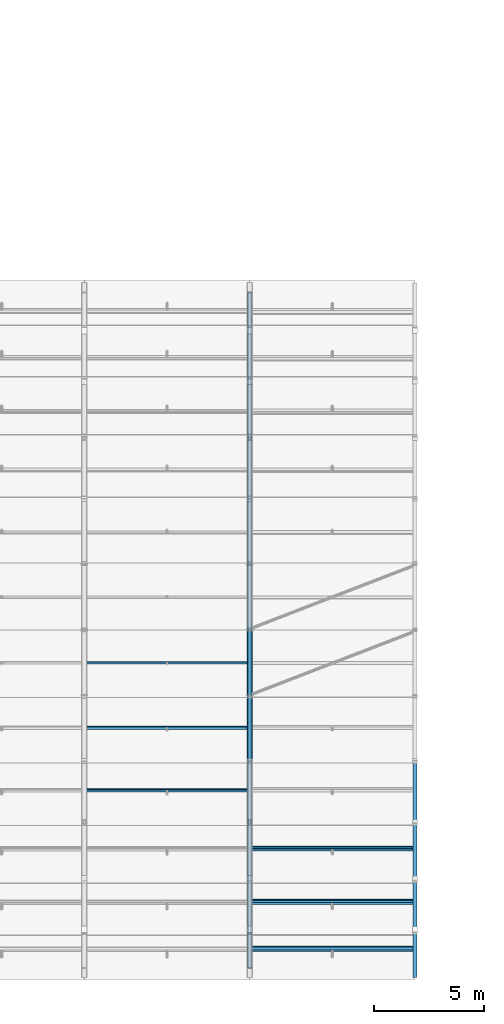
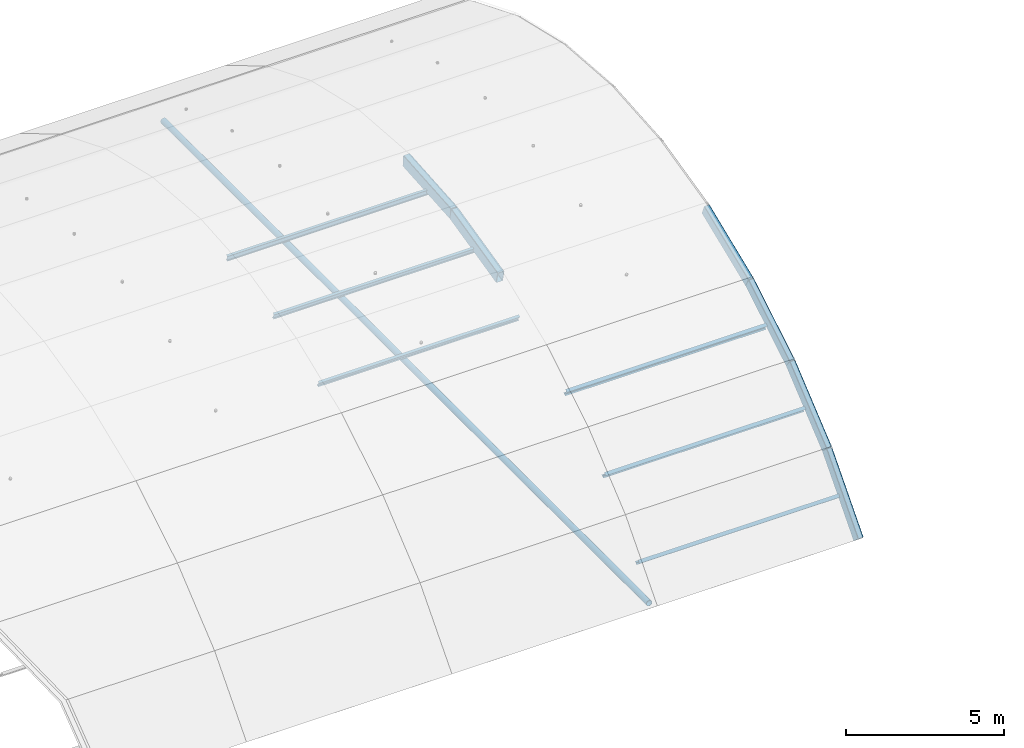
# One storey, part 24 of 77: 7 members, 6 beams.
"""IFC4 building model written with IfcOpenShell, lengths in metres."""

from ifc_helpers import new_model, si_unit, direction, frame, origin, origin_2d, place, context, subcontext, project, spatial, hollow_rectangle, hollow_circle, i_section, extrude, material, material_profile, profile_set, type_object, element, save


model = new_model("IFC4")

# Units and contexts
model_context = context("Model", 3, precision=1e-05, world=origin(), true_north=direction((0.0, 1.0)))
body_context = subcontext(model_context, "Body", "Model", "MODEL_VIEW")
ifc_project = project(units=[si_unit("LENGTHUNIT", "METRE"), si_unit("AREAUNIT", "SQUARE_METRE"), si_unit("VOLUMEUNIT", "CUBIC_METRE"), si_unit("PLANEANGLEUNIT", "RADIAN"), si_unit("MASSUNIT", "GRAM", prefix="KILO")], contexts=[model_context])

# Site, building, storey
site_placement = place(None, origin())
site = spatial("IfcSite", under=ifc_project, at=site_placement, CompositionType="ELEMENT")
building_placement = place(site_placement, origin())
building = spatial("IfcBuilding", under=site, at=building_placement, Name="Yukiwa Park Conservatory and Herbarium", CompositionType="ELEMENT")
storey_placement = place(building_placement, frame((0.0, 0.0, 13.199951171875)))
storey = spatial("IfcBuildingStorey", under=building, at=storey_placement, Name="L03", CompositionType="ELEMENT", Elevation=13.199951171875)

# Beams
ifc_material_1 = material(Name="Steel Q355D", Category="steel")
ifc_material_profile_1 = material_profile(ifc_material_1, hollow_rectangle(XDim=0.25, YDim=0.449951171875, WallThickness=0.013916015625, InnerFilletRadius=0.013916015625, OuterFilletRadius=0.028076171875, at=origin_2d()), Name="RHS 450x250x14")
ifc_profile_set_1 = profile_set([ifc_material_profile_1], Name="Steel Q355D")
beam_type_1 = type_object("IfcBeamType", Name="BM-VLT-ARCH450", PredefinedType="BEAM", material=ifc_profile_set_1)
for number, where, z_axis, x_axis, name in (
    (1, (52.5, 9.668212890625, 2.676025390625), (0.0, 0.973254208946, 0.22973080936), (-1.0, 0.0, 0.0), "Conservatory barrel vault arch rib 8 chord 5"),
    (2, (52.5, 12.598388671875, 3.36767578125), (0.0, 0.997015721433, 0.077198777292), (-1.0, 0.0, 0.0), "Conservatory barrel vault arch rib 8 chord 6"),
):
    element("IfcBeam", number, at=place(storey_placement, frame(where, z_axis=z_axis, x_axis=x_axis)), inside=storey, type_object=beam_type_1, Name=name, PredefinedType="BEAM", context=body_context, shape_type="SweptSolid", body=[
        extrude(hollow_rectangle(XDim=0.25, YDim=0.449951171875, WallThickness=0.013916015625, InnerFilletRadius=0.013916015625, OuterFilletRadius=0.028076171875, at=origin_2d()), origin(), (0.0, 0.0, 1.0), 3.0107421875),
    ])
ifc_material_2 = material(Name="Steel Q355D", Category="steel")
ifc_material_profile_2 = material_profile(ifc_material_2, hollow_rectangle(XDim=0.199951171875, YDim=0.39990234375, WallThickness=0.011962890625, InnerFilletRadius=0.011962890625, OuterFilletRadius=0.02392578125, at=origin_2d()), Name="RHS 400x200x12")
ifc_profile_set_2 = profile_set([ifc_material_profile_2], Name="Steel Q355D")
beam_type_2 = type_object("IfcBeamType", Name="BM-VLT-GABLE400", PredefinedType="BEAM", material=ifc_profile_set_2)
beam_1_placement = place(storey_placement, frame((60.0, 0.0, -4.199951171875), z_axis=(0.0, 0.659978721293, 0.751284292023), x_axis=(-1.0, 0.0, 0.0)))
element("IfcBeam", 3, at=beam_1_placement, inside=storey, type_object=beam_type_2, Name="Conservatory barrel vault arch rib 9 chord 1", PredefinedType="BEAM", context=body_context, shape_type="SweptSolid", body=[
    extrude(hollow_rectangle(XDim=0.199951171875, YDim=0.39990234375, WallThickness=0.011962890625, InnerFilletRadius=0.011962890625, OuterFilletRadius=0.02392578125, at=origin_2d()), origin(), (0.0, 0.0, 1.0), 3.0107421875),
])
beam_2_placement = place(storey_placement, frame((60.0, 1.987060546875, -1.93798828125), z_axis=(0.0, 0.767749110539, 0.640750578047), x_axis=(-1.0, 0.0, 0.0)))
element("IfcBeam", 4, at=beam_2_placement, inside=storey, type_object=beam_type_2, Name="Conservatory barrel vault arch rib 9 chord 2", PredefinedType="BEAM", context=body_context, shape_type="SweptSolid", body=[
    extrude(hollow_rectangle(XDim=0.199951171875, YDim=0.39990234375, WallThickness=0.011962890625, InnerFilletRadius=0.011962890625, OuterFilletRadius=0.02392578125, at=origin_2d()), origin(), (0.0, 0.0, 1.0), 3.010498046875),
])
for number, where, z_axis, x_axis, name in (
    (5, (60.0, 4.29833984375, -0.009033203125), (0.0, 0.857249569488, 0.514901131881), (-1.0, 0.0, 0.0), "Conservatory barrel vault arch rib 9 chord 3"),
    (6, (60.0, 6.87939453125, 1.541259765625), (0.0, 0.926257021224, 0.376892465609), (-1.0, 0.0, 0.0), "Conservatory barrel vault arch rib 9 chord 4"),
):
    element("IfcBeam", number, at=place(storey_placement, frame(where, z_axis=z_axis, x_axis=x_axis)), inside=storey, type_object=beam_type_2, Name=name, PredefinedType="BEAM", context=body_context, shape_type="SweptSolid", body=[
        extrude(hollow_rectangle(XDim=0.199951171875, YDim=0.39990234375, WallThickness=0.011962890625, InnerFilletRadius=0.011962890625, OuterFilletRadius=0.02392578125, at=origin_2d()), origin(), (0.0, 0.0, 1.0), 3.0107421875),
    ])

# Members
ifc_material_3 = material(Name="Steel Q355D", Category="steel")
ifc_material_profile_3 = material_profile(ifc_material_3, i_section(OverallWidth=0.10009765625, OverallDepth=0.199951171875, WebThickness=0.005615234375, FlangeThickness=0.008056640625, FilletRadius=0.010986328125, at=origin_2d()), Name="HN 200x100x5.5x8")
ifc_profile_set_3 = profile_set([ifc_material_profile_3], Name="Steel Q355D")
member_type_1 = type_object("IfcMemberType", Name="MB-VLT-PURL200", PredefinedType="PURLIN", material=ifc_profile_set_3)
for number, where, z_axis, x_axis, name in (
    (7, (45.0849609375, 8.340087890625, 1.945556640625), (1.0, 0.0, 0.0), (0.0, 0.926282194237, 0.376830594086), "Conservatory vault longitudinal purlin 7.4"),
    (8, (45.0849609375, 11.173583984375, 2.850341796875), (1.0, 0.0, 0.0), (0.0, 0.973249092076, 0.22975248589), "Conservatory vault longitudinal purlin 7.5"),
    (9, (45.0849609375, 14.11279296875, 3.308349609375), (1.0, 0.0, 0.0), (0.0, 0.997015814894, 0.077197570239), "Conservatory vault longitudinal purlin 7.6"),
):
    element("IfcMember", number, at=place(storey_placement, frame(where, z_axis=z_axis, x_axis=x_axis)), inside=storey, type_object=member_type_1, Name=name, PredefinedType="PURLIN", context=body_context, shape_type="SweptSolid", body=[
        extrude(i_section(OverallWidth=0.10009765625, OverallDepth=0.199951171875, WebThickness=0.005615234375, FlangeThickness=0.008056640625, FilletRadius=0.010986328125, at=origin_2d()), origin(), (0.0, 0.0, 1.0), 7.330078125),
    ])
ifc_material_4 = material(Name="Steel Q355D", Category="steel")
ifc_material_profile_4 = material_profile(ifc_material_4, i_section(OverallWidth=0.1240234375, OverallDepth=0.248046875, WebThickness=0.0048828125, FlangeThickness=0.008056640625, FilletRadius=0.011962890625, at=origin_2d()), Name="HN 248x124x5x8")
ifc_profile_set_4 = profile_set([ifc_material_profile_4], Name="Steel Q355D")
member_type_2 = type_object("IfcMemberType", Name="MB-VLT-PURL248", PredefinedType="PURLIN", material=ifc_profile_set_4)
for number, where, z_axis, x_axis, name in (
    (10, (52.5849609375, 1.143798828125, -3.200927734375), (1.0, 0.0, 0.0), (0.0, 0.659967575996, 0.751294082656), "Conservatory vault longitudinal purlin 8.1"),
    (11, (52.5849609375, 3.270751953125, -1.126953125), (1.0, 0.0, 0.0), (0.0, 0.767751470285, 0.640747750582), "Conservatory vault longitudinal purlin 8.2"),
    (12, (52.5849609375, 5.69189453125, 0.5947265625), (1.0, 0.0, 0.0), (0.0, 0.857233812968, 0.514927363717), "Conservatory vault longitudinal purlin 8.3"),
):
    element("IfcMember", number, at=place(storey_placement, frame(where, z_axis=z_axis, x_axis=x_axis)), inside=storey, type_object=member_type_2, Name=name, PredefinedType="PURLIN", context=body_context, shape_type="SweptSolid", body=[
        extrude(i_section(OverallWidth=0.1240234375, OverallDepth=0.248046875, WebThickness=0.0048828125, FlangeThickness=0.008056640625, FilletRadius=0.011962890625, at=origin_2d()), origin(), (0.0, 0.0, 1.0), 7.330078125),
    ])
ifc_material_5 = material(Name="Steel Q355D", Category="steel")
ifc_material_profile_5 = material_profile(ifc_material_5, hollow_circle(Radius=0.109619140625, WallThickness=0.011962890625, at=origin_2d()), Name="CHS 219.1x12")
ifc_profile_set_5 = profile_set([ifc_material_profile_5], Name="Steel Q355D")
member_type_3 = type_object("IfcMemberType", Name="MB-VLT-TIE219", PredefinedType="COLLAR", material=ifc_profile_set_5)
member_placement = place(storey_placement, frame((52.5, 0.2451171875, -4.199951171875), z_axis=(0.0, 1.0, 0.0), x_axis=(-1.0, 0.0, 0.0)))
element("IfcMember", 13, at=member_placement, inside=storey, type_object=member_type_3, Name="Conservatory vault springing tension tie 8", PredefinedType="COLLAR", context=body_context, shape_type="SweptSolid", body=[
    extrude(hollow_circle(Radius=0.109619140625, WallThickness=0.011962890625, at=origin_2d()), origin(), (0.0, 0.0, 1.0), 30.7099609375),
])

save(model, "model.ifc")
